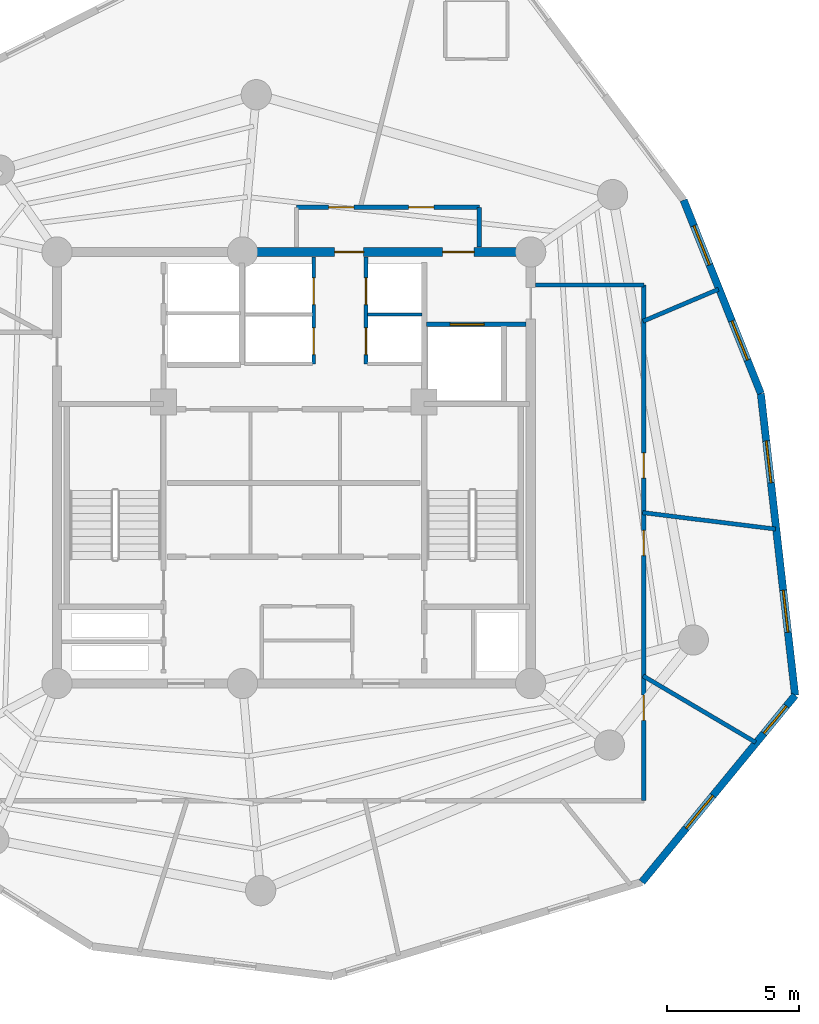
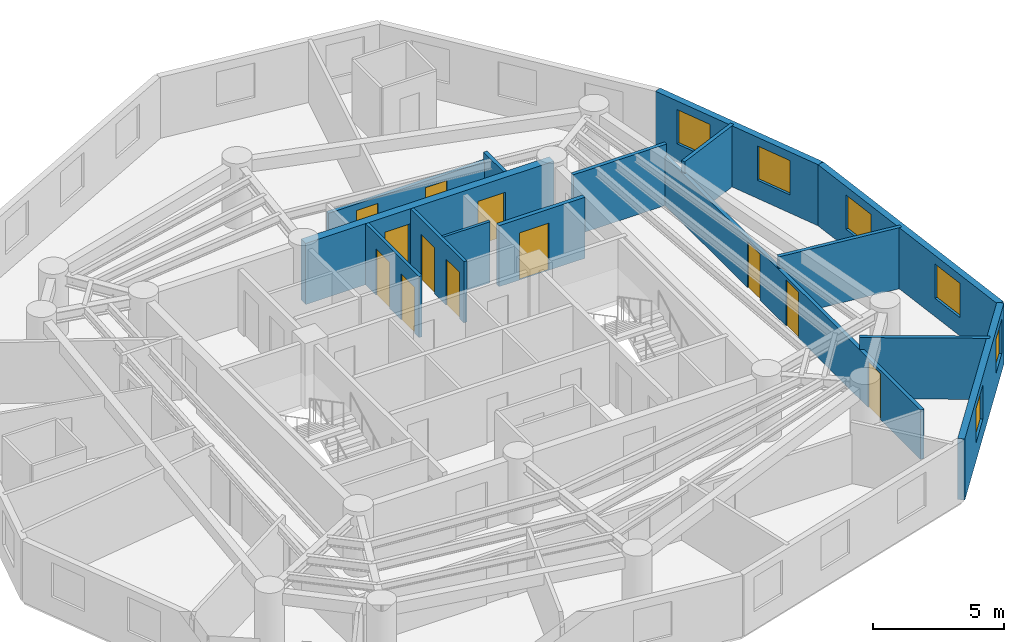
# One storey, part 5 of 7: 15 walls, 12 doors, 6 windows, 18 openings.
"""IFC4 building model written with IfcOpenShell, lengths in metres."""

from ifc_helpers import new_model, si_unit, direction, frame, frame_2d, origin, origin_with_axes, place, context, subcontext, project, spatial, rectangle, extrude, source, transform, mapped, material, layer, layer_set, type_object, element, fill, save


model = new_model("IFC4")

# Units and contexts
model_context = context("Model", 3, precision=1e-05, world=origin(), true_north=direction((0.0, 1.0)))
body_context = subcontext(model_context, "Body", "Model", "MODEL_VIEW")
ifc_project = project(units=[si_unit("LENGTHUNIT", "METRE"), si_unit("AREAUNIT", "SQUARE_METRE"), si_unit("VOLUMEUNIT", "CUBIC_METRE"), si_unit("PLANEANGLEUNIT", "RADIAN"), si_unit("MASSUNIT", "GRAM", prefix="KILO")], contexts=[model_context])

# Site, building, storey
site_placement = place(None, origin())
site = spatial("IfcSite", under=ifc_project, at=site_placement, CompositionType="ELEMENT")
building_placement = place(site_placement, origin())
building = spatial("IfcBuilding", under=site, at=building_placement, Name="Karkom Vertical University and Central Library", CompositionType="ELEMENT")
storey_placement = place(building_placement, frame((0.0, 0.0, 241.300048828125)))
storey = spatial("IfcBuildingStorey", under=building, at=storey_placement, Name="L71", CompositionType="ELEMENT", Elevation=241.300048828125)

# Wall, openings, windows
ifc_material_1 = material(Name="Brick-faced precast concrete C45/55", Category="masonry")
ifc_layer_1 = layer(ifc_material_1, 0.280029296875)
ifc_layer_set_1 = layer_set([ifc_layer_1], Name="Brick-faced precast concrete C45/55")
wall_type_1 = type_object("IfcWallType", Name="ENV-WL-BRK-280", PredefinedType="SOLIDWALL", material=ifc_layer_set_1)
wall_1_placement = place(storey_placement, frame((41.727294921875, 10.755615234375, 0.0), z_axis=(0.0, 0.0, 1.0), x_axis=(0.634374079075, 0.773026214173, 0.0)))
wall_1 = element("IfcWall", 1, at=wall_1_placement, inside=storey, type_object=wall_type_1, Name="Level 71 Brick-Faced Precast Facade Wall 05", PredefinedType="SOLIDWALL", context=body_context, shape_type="SweptSolid", body=[
    extrude(rectangle(XDim=9.17919921875, YDim=0.280029296875, at=frame_2d((4.589599609375, 0.0))), origin(), (0.0, 0.0, 1.0), 2.849853515625),
])
opening_1_placement = place(wall_1_placement, frame((2.65087890625, 0.0, 0.85009765625)))
opening_1 = element("IfcOpeningElement", 2, at=opening_1_placement, cuts=wall_1, Name="Opening WN-10", PredefinedType="OPENING", context=body_context, shape_type="SweptSolid", body=[
    extrude(rectangle(XDim=1.60009765625, YDim=1.60009765625, at=frame_2d((0.800048828125, 0.800048828125))), frame((0.0, 0.14990234375, 0.0), z_axis=(0.0, -1.0, 0.0), x_axis=(1.0, 0.0, 0.0)), (0.0, 0.0, 1.0), 0.300048828125),
])
opening_2_placement = place(wall_1_placement, frame((7.305419921875, 0.0, 0.85009765625)))
opening_2 = element("IfcOpeningElement", 3, at=opening_2_placement, cuts=wall_1, Name="Opening WN-11", PredefinedType="OPENING", context=body_context, shape_type="SweptSolid", body=[
    extrude(rectangle(XDim=1.35009765625, YDim=1.60009765625, at=frame_2d((0.675048828125, 0.800048828125))), frame((0.0, 0.14990234375, 0.0), z_axis=(0.0, -1.0, 0.0), x_axis=(1.0, 0.0, 0.0)), (0.0, 0.0, 1.0), 0.300048828125),
])
ifc_material_2 = material(Name="Aluminium thermal-break frame with solar-control IGU", Category="aluminium")
window_type_1 = type_object("IfcWindowType", Name="ENV-WIN-WN-10", PartitioningType="SINGLE_PANEL", PredefinedType="WINDOW", material=ifc_material_2)
shared_shape_1 = source(origin_with_axes(), body_context, "Body", "SweptSolid", [
    extrude(rectangle(XDim=1.60009765625, YDim=1.60009765625, at=frame_2d((0.800048828125, 0.800048828125))), frame((0.0, 0.030029296875, 0.0), z_axis=(0.0, -1.0, 0.0), x_axis=(1.0, 0.0, 0.0)), (0.0, 0.0, 1.0), 0.06005859375),
])
window_1_placement = place(opening_1_placement, origin())
window_1 = element("IfcWindow", 4, at=window_1_placement, inside=storey, type_object=window_type_1, Name="Level 71 Punched Window 5.1", OverallHeight=1.60009765625, OverallWidth=1.60009765625, PartitioningType="SINGLE_PANEL", PredefinedType="WINDOW", context=body_context, shape_type="MappedRepresentation", body=[
    mapped(shared_shape_1, transform((0.0, 0.0, 0.0), scale=1.0)),
])
fill(opening_1, window_1)
window_type_2 = type_object("IfcWindowType", Name="ENV-WIN-WN-11", PartitioningType="SINGLE_PANEL", PredefinedType="WINDOW", material=ifc_material_2)
shared_shape_2 = source(origin_with_axes(), body_context, "Body", "SweptSolid", [
    extrude(rectangle(XDim=1.35009765625, YDim=1.60009765625, at=frame_2d((0.675048828125, 0.800048828125))), frame((0.0, 0.030029296875, 0.0), z_axis=(0.0, -1.0, 0.0), x_axis=(1.0, 0.0, 0.0)), (0.0, 0.0, 1.0), 0.06005859375),
])
window_2_placement = place(opening_2_placement, origin())
window_2 = element("IfcWindow", 5, at=window_2_placement, inside=storey, type_object=window_type_2, Name="Level 71 Punched Window 5.2", OverallHeight=1.60009765625, OverallWidth=1.35009765625, PartitioningType="SINGLE_PANEL", PredefinedType="WINDOW", context=body_context, shape_type="MappedRepresentation", body=[
    mapped(shared_shape_2, transform((0.0, 0.0, 0.0), scale=1.0)),
])
fill(opening_2, window_2)

wall_2_placement = place(storey_placement, frame((47.55029296875, 17.851318359375, 0.0), z_axis=(0.0, 0.0, 1.0), x_axis=(-0.112909688044, 0.99360525479, 0.0)))
wall_2 = element("IfcWall", 6, at=wall_2_placement, inside=storey, type_object=wall_type_1, Name="Level 71 Brick-Faced Precast Facade Wall 06", PredefinedType="SOLIDWALL", context=body_context, shape_type="SweptSolid", body=[
    extrude(rectangle(XDim=11.54638671875, YDim=0.280029296875, at=frame_2d((5.773193359375, 0.0))), origin(), (0.0, 0.0, 1.0), 2.849853515625),
])
opening_3_placement = place(wall_2_placement, frame((2.41552734375, 0.0, 0.85009765625)))
opening_3 = element("IfcOpeningElement", 7, at=opening_3_placement, cuts=wall_2, Name="Opening WN-10", PredefinedType="OPENING", context=body_context, shape_type="SweptSolid", body=[
    extrude(rectangle(XDim=1.60009765625, YDim=1.60009765625, at=frame_2d((0.800048828125, 0.800048828125))), frame((0.0, 0.14990234375, 0.0), z_axis=(0.0, -1.0, 0.0), x_axis=(1.0, 0.0, 0.0)), (0.0, 0.0, 1.0), 0.300048828125),
])
opening_4_placement = place(wall_2_placement, frame((8.12890625, 0.0, 0.85009765625)))
opening_4 = element("IfcOpeningElement", 8, at=opening_4_placement, cuts=wall_2, Name="Opening WN-10", PredefinedType="OPENING", context=body_context, shape_type="SweptSolid", body=[
    extrude(rectangle(XDim=1.60009765625, YDim=1.60009765625, at=frame_2d((0.800048828125, 0.800048828125))), frame((0.0, 0.14990234375, 0.0), z_axis=(0.0, -1.0, 0.0), x_axis=(1.0, 0.0, 0.0)), (0.0, 0.0, 1.0), 0.300048828125),
])
window_3_placement = place(opening_3_placement, origin())
window_3 = element("IfcWindow", 9, at=window_3_placement, inside=storey, type_object=window_type_1, Name="Level 71 Punched Window 6.1", OverallHeight=1.60009765625, OverallWidth=1.60009765625, PartitioningType="SINGLE_PANEL", PredefinedType="WINDOW", context=body_context, shape_type="MappedRepresentation", body=[
    mapped(shared_shape_1, transform((0.0, 0.0, 0.0), scale=1.0)),
])
fill(opening_3, window_3)
window_4_placement = place(opening_4_placement, origin())
window_4 = element("IfcWindow", 10, at=window_4_placement, inside=storey, type_object=window_type_1, Name="Level 71 Punched Window 6.2", OverallHeight=1.60009765625, OverallWidth=1.60009765625, PartitioningType="SINGLE_PANEL", PredefinedType="WINDOW", context=body_context, shape_type="MappedRepresentation", body=[
    mapped(shared_shape_1, transform((0.0, 0.0, 0.0), scale=1.0)),
])
fill(opening_4, window_4)

wall_3_placement = place(storey_placement, frame((46.24658203125, 29.323974609375, 0.0), z_axis=(0.0, 0.0, 1.0), x_axis=(-0.370714974238, 0.928746686603, 0.0)))
wall_3 = element("IfcWall", 11, at=wall_3_placement, inside=storey, type_object=wall_type_1, Name="Level 71 Brick-Faced Precast Facade Wall 07", PredefinedType="SOLIDWALL", context=body_context, shape_type="SweptSolid", body=[
    extrude(rectangle(XDim=7.91259765625, YDim=0.280029296875, at=frame_2d((3.956298828125, 0.0))), origin(), (0.0, 0.0, 1.0), 2.849853515625),
])
opening_5_placement = place(wall_3_placement, frame((1.3671875, 0.0, 0.85009765625)))
opening_5 = element("IfcOpeningElement", 12, at=opening_5_placement, cuts=wall_3, Name="Opening WN-10", PredefinedType="OPENING", context=body_context, shape_type="SweptSolid", body=[
    extrude(rectangle(XDim=1.60009765625, YDim=1.60009765625, at=frame_2d((0.800048828125, 0.800048828125))), frame((0.0, 0.14990234375, 0.0), z_axis=(0.0, -1.0, 0.0), x_axis=(1.0, 0.0, 0.0)), (0.0, 0.0, 1.0), 0.300048828125),
])
opening_6_placement = place(wall_3_placement, frame((5.263671875, 0.0, 0.85009765625)))
opening_6 = element("IfcOpeningElement", 13, at=opening_6_placement, cuts=wall_3, Name="Opening WN-10", PredefinedType="OPENING", context=body_context, shape_type="SweptSolid", body=[
    extrude(rectangle(XDim=1.60009765625, YDim=1.60009765625, at=frame_2d((0.800048828125, 0.800048828125))), frame((0.0, 0.14990234375, 0.0), z_axis=(0.0, -1.0, 0.0), x_axis=(1.0, 0.0, 0.0)), (0.0, 0.0, 1.0), 0.300048828125),
])
window_5_placement = place(opening_5_placement, origin())
window_5 = element("IfcWindow", 14, at=window_5_placement, inside=storey, type_object=window_type_1, Name="Level 71 Punched Window 7.1", OverallHeight=1.60009765625, OverallWidth=1.60009765625, PartitioningType="SINGLE_PANEL", PredefinedType="WINDOW", context=body_context, shape_type="MappedRepresentation", body=[
    mapped(shared_shape_1, transform((0.0, 0.0, 0.0), scale=1.0)),
])
fill(opening_5, window_5)
window_6_placement = place(opening_6_placement, origin())
window_6 = element("IfcWindow", 15, at=window_6_placement, inside=storey, type_object=window_type_1, Name="Level 71 Punched Window 7.2", OverallHeight=1.60009765625, OverallWidth=1.60009765625, PartitioningType="SINGLE_PANEL", PredefinedType="WINDOW", context=body_context, shape_type="MappedRepresentation", body=[
    mapped(shared_shape_1, transform((0.0, 0.0, 0.0), scale=1.0)),
])
fill(opening_6, window_6)

# Wall, openings, doors
ifc_material_3 = material(Name="Insulated metal-stud drywall 160mm", Category="gypsum")
ifc_layer_2 = layer(ifc_material_3, 0.159912109375)
ifc_layer_set_2 = layer_set([ifc_layer_2], Name="Insulated metal-stud drywall 160mm")
wall_type_2 = type_object("IfcWallType", Name="INT-WL-COR-160", PredefinedType="PARTITIONING", material=ifc_layer_set_2)
wall_4_placement = place(storey_placement, frame((41.800048828125, 33.449951171875, 0.0), z_axis=(0.0, 0.0, 1.0), x_axis=(0.0, -1.0, 0.0)))
wall_4 = element("IfcWall", 16, at=wall_4_placement, inside=storey, type_object=wall_type_2, Name="Level 71 Interior Partition Wall L71-CORW-CW-005", PredefinedType="PARTITIONING", context=body_context, shape_type="SweptSolid", body=[
    extrude(rectangle(XDim=19.599853515625, YDim=0.159912109375, at=frame_2d((9.7998046875, 0.0))), origin(), (0.0, 0.0, 1.0), 2.300048828125),
])
opening_7_placement = place(wall_4_placement, frame((15.5859375, 0.0, 0.0)))
opening_7 = element("IfcOpeningElement", 17, at=opening_7_placement, cuts=wall_4, Name="Opening FD-RM2", PredefinedType="OPENING", context=body_context, shape_type="SweptSolid", body=[
    extrude(rectangle(XDim=0.9599609375, YDim=2.14990234375, at=frame_2d((0.47998046875, 1.074951171875))), frame((0.0, 0.08984375, 0.0), z_axis=(0.0, -1.0, 0.0), x_axis=(1.0, 0.0, 0.0)), (0.0, 0.0, 1.0), 0.179931640625),
])
opening_8_placement = place(wall_4_placement, frame((9.324951171875, 0.0, 0.0)))
opening_8 = element("IfcOpeningElement", 18, at=opening_8_placement, cuts=wall_4, Name="Opening FD-RM2", PredefinedType="OPENING", context=body_context, shape_type="SweptSolid", body=[
    extrude(rectangle(XDim=0.9599609375, YDim=2.14990234375, at=frame_2d((0.47998046875, 1.074951171875))), frame((0.0, 0.08984375, 0.0), z_axis=(0.0, -1.0, 0.0), x_axis=(1.0, 0.0, 0.0)), (0.0, 0.0, 1.0), 0.179931640625),
])
opening_9_placement = place(wall_4_placement, frame((6.385009765625, 0.0, 0.0)))
opening_9 = element("IfcOpeningElement", 19, at=opening_9_placement, cuts=wall_4, Name="Opening FD-RM2", PredefinedType="OPENING", context=body_context, shape_type="SweptSolid", body=[
    extrude(rectangle(XDim=0.9599609375, YDim=2.14990234375, at=frame_2d((0.47998046875, 1.074951171875))), frame((0.0, 0.08984375, 0.0), z_axis=(0.0, -1.0, 0.0), x_axis=(1.0, 0.0, 0.0)), (0.0, 0.0, 1.0), 0.179931640625),
])
ifc_material_4 = material(Name="Fire-rated oak veneer door", Category="wood")
door_type_1 = type_object("IfcDoorType", Name="INT-DR-FRM2", OperationType="NOTDEFINED", PredefinedType="DOOR", material=ifc_material_4)
shared_shape_3 = source(origin_with_axes(), body_context, "Body", "SweptSolid", [
    extrude(rectangle(XDim=0.9599609375, YDim=2.14990234375, at=frame_2d((0.47998046875, 1.074951171875))), frame((0.0, 0.02490234375, 0.0), z_axis=(0.0, -1.0, 0.0), x_axis=(1.0, 0.0, 0.0)), (0.0, 0.0, 1.0), 0.050048828125),
])
door_1_placement = place(opening_7_placement, origin())
door_1 = element("IfcDoor", 20, at=door_1_placement, inside=storey, type_object=door_type_1, Name="Level 71 Room Entry Door 306", OperationType="SINGLE_SWING_RIGHT", OverallHeight=2.14990234375, OverallWidth=0.9599609375, PredefinedType="DOOR", context=body_context, shape_type="MappedRepresentation", body=[
    mapped(shared_shape_3, transform((0.0, 0.0, 0.0), scale=1.0)),
])
fill(opening_7, door_1)
door_2_placement = place(opening_8_placement, origin())
door_2 = element("IfcDoor", 21, at=door_2_placement, inside=storey, type_object=door_type_1, Name="Level 71 Room Entry Door 307", OperationType="SINGLE_SWING_LEFT", OverallHeight=2.14990234375, OverallWidth=0.9599609375, PredefinedType="DOOR", context=body_context, shape_type="MappedRepresentation", body=[
    mapped(shared_shape_3, transform((0.0, 0.0, 0.0), scale=1.0)),
])
fill(opening_8, door_2)
door_3_placement = place(opening_9_placement, origin())
door_3 = element("IfcDoor", 22, at=door_3_placement, inside=storey, type_object=door_type_1, Name="Level 71 Room Entry Door 308", OperationType="SINGLE_SWING_RIGHT", OverallHeight=2.14990234375, OverallWidth=0.9599609375, PredefinedType="DOOR", context=body_context, shape_type="MappedRepresentation", body=[
    mapped(shared_shape_3, transform((0.0, 0.0, 0.0), scale=1.0)),
])
fill(opening_9, door_3)

wall_5_placement = place(storey_placement, frame((28.60009765625, 36.39990234375, 0.0), z_axis=(0.0, 0.0, 1.0), x_axis=(1.0, 0.0, 0.0)))
wall_5 = element("IfcWall", 23, at=wall_5_placement, inside=storey, type_object=wall_type_2, Name="Level 71 Interior Partition Wall L71-CORW-CW-007", PredefinedType="PARTITIONING", context=body_context, shape_type="SweptSolid", body=[
    extrude(rectangle(XDim=6.949951171875, YDim=0.159912109375, at=frame_2d((3.47509765625, 0.0))), origin(), (0.0, 0.0, 1.0), 2.449951171875),
])
opening_10_placement = place(wall_5_placement, frame((4.26513671875, 0.0, 0.0)))
opening_10 = element("IfcOpeningElement", 24, at=opening_10_placement, cuts=wall_5, Name="Opening FD-RM2", PredefinedType="OPENING", context=body_context, shape_type="SweptSolid", body=[
    extrude(rectangle(XDim=0.9599609375, YDim=2.14990234375, at=frame_2d((0.47998046875, 1.074951171875))), frame((0.0, 0.08984375, 0.0), z_axis=(0.0, -1.0, 0.0), x_axis=(1.0, 0.0, 0.0)), (0.0, 0.0, 1.0), 0.179931640625),
])
opening_11_placement = place(wall_5_placement, frame((1.222412109375, 0.0, 0.0)))
opening_11 = element("IfcOpeningElement", 25, at=opening_11_placement, cuts=wall_5, Name="Opening FD-RM2", PredefinedType="OPENING", context=body_context, shape_type="SweptSolid", body=[
    extrude(rectangle(XDim=0.9599609375, YDim=2.14990234375, at=frame_2d((0.47998046875, 1.074951171875))), frame((0.0, 0.08984375, 0.0), z_axis=(0.0, -1.0, 0.0), x_axis=(1.0, 0.0, 0.0)), (0.0, 0.0, 1.0), 0.179931640625),
])
door_4_placement = place(opening_10_placement, origin())
door_4 = element("IfcDoor", 26, at=door_4_placement, inside=storey, type_object=door_type_1, Name="Level 71 Room Entry Door 418", OperationType="SINGLE_SWING_RIGHT", OverallHeight=2.14990234375, OverallWidth=0.9599609375, PredefinedType="DOOR", context=body_context, shape_type="MappedRepresentation", body=[
    mapped(shared_shape_3, transform((0.0, 0.0, 0.0), scale=1.0)),
])
fill(opening_10, door_4)
door_5_placement = place(opening_11_placement, origin())
door_5 = element("IfcDoor", 27, at=door_5_placement, inside=storey, type_object=door_type_1, Name="Level 71 Room Entry Door 310", OperationType="SINGLE_SWING_LEFT", OverallHeight=2.14990234375, OverallWidth=0.9599609375, PredefinedType="DOOR", context=body_context, shape_type="MappedRepresentation", body=[
    mapped(shared_shape_3, transform((0.0, 0.0, 0.0), scale=1.0)),
])
fill(opening_11, door_5)

# Walls
wall_6_placement = place(storey_placement, frame((41.75537109375, 24.79638671875, 0.0), z_axis=(0.0, 0.0, 1.0), x_axis=(0.992405043613, -0.123013126992, 0.0)))
element("IfcWall", 28, at=wall_6_placement, inside=storey, type_object=wall_type_2, Name="Level 71 Interior Partition Wall L71-PW-011", PredefinedType="PARTITIONING", context=body_context, shape_type="SweptSolid", body=[
    extrude(rectangle(XDim=5.088623046875, YDim=0.159912109375, at=frame_2d((2.54443359375, 0.0))), origin(), (0.0, 0.0, 1.0), 2.849853515625),
])
wall_7_placement = place(storey_placement, frame((41.774169921875, 18.590576171875, 0.0), z_axis=(0.0, 0.0, 1.0), x_axis=(0.861033173035, -0.508548793071, 0.0)))
element("IfcWall", 29, at=wall_7_placement, inside=storey, type_object=wall_type_2, Name="Level 71 Interior Partition Wall L71-PW-010", PredefinedType="PARTITIONING", context=body_context, shape_type="SweptSolid", body=[
    extrude(rectangle(XDim=4.966796875, YDim=0.159912109375, at=frame_2d((2.4833984375, 0.0))), origin(), (0.0, 0.0, 1.0), 2.849853515625),
])
wall_8_placement = place(storey_placement, frame((37.681884765625, 33.449951171875, 0.0), z_axis=(0.0, 0.0, 1.0), x_axis=(1.0, 0.0, 0.0)))
element("IfcWall", 30, at=wall_8_placement, inside=storey, type_object=wall_type_2, Name="Level 71 Interior Partition Wall L71-CORW-CW-004", PredefinedType="PARTITIONING", context=body_context, shape_type="SweptSolid", body=[
    extrude(rectangle(XDim=4.1181640625, YDim=0.159912109375, at=frame_2d((2.05908203125, 0.0))), origin(), (0.0, 0.0, 1.0), 2.849853515625),
])
wall_9_placement = place(storey_placement, frame((41.7724609375, 32.068603515625, 0.0), z_axis=(0.0, 0.0, 1.0), x_axis=(0.920502311411, 0.39073711711, 0.0)))
element("IfcWall", 31, at=wall_9_placement, inside=storey, type_object=wall_type_2, Name="Level 71 Interior Partition Wall L71-PW-012", PredefinedType="PARTITIONING", context=body_context, shape_type="SweptSolid", body=[
    extrude(rectangle(XDim=3.113525390625, YDim=0.159912109375, at=frame_2d((1.556640625, 0.0))), origin(), (0.0, 0.0, 1.0), 2.849853515625),
])
wall_10_placement = place(storey_placement, frame((35.550048828125, 36.39990234375, 0.0), z_axis=(0.0, 0.0, 1.0), x_axis=(0.0, -1.0, 0.0)))
element("IfcWall", 32, at=wall_10_placement, inside=storey, type_object=wall_type_2, Name="Level 71 Interior Partition Wall L71-CORW-CW-008", PredefinedType="PARTITIONING", context=body_context, shape_type="SweptSolid", body=[
    extrude(rectangle(XDim=1.517822265625, YDim=0.159912109375, at=frame_2d((0.7587890625, 0.0))), origin(), (0.0, 0.0, 1.0), 2.849853515625),
])
ifc_material_5 = material(Name="Moisture-resistant drywall 120mm", Category="gypsum")
ifc_layer_3 = layer(ifc_material_5, 0.1201171875)
ifc_layer_set_3 = layer_set([ifc_layer_3], Name="Moisture-resistant drywall 120mm")
wall_type_3 = type_object("IfcWallType", Name="INT-WL-INT-120H", PredefinedType="PARTITIONING", material=ifc_layer_set_3)
wall_11_placement = place(storey_placement, frame((31.300048828125, 32.320068359375, 0.0), z_axis=(0.0, 0.0, 1.0), x_axis=(1.0, 0.0, 0.0)))
element("IfcWall", 33, at=wall_11_placement, inside=storey, type_object=wall_type_3, Name="Level 71 Interior Partition Wall L71-CW-PH-ME", PredefinedType="PARTITIONING", context=body_context, shape_type="SweptSolid", body=[
    extrude(rectangle(XDim=2.074951171875, YDim=0.1201171875, at=frame_2d((1.03759765625, 0.0))), origin(), (0.0, 0.0, 1.0), 2.849853515625),
])

# Wall, openings, doors
ifc_material_6 = material(Name="Metal-stud gypsum partition 140mm", Category="gypsum")
ifc_layer_4 = layer(ifc_material_6, 0.139892578125)
ifc_layer_set_4 = layer_set([ifc_layer_4], Name="Metal-stud gypsum partition 140mm")
wall_type_4 = type_object("IfcWallType", Name="INT-WL-SUB-140H", PredefinedType="PARTITIONING", material=ifc_layer_set_4)
wall_12_placement = place(storey_placement, frame((29.260009765625, 30.449951171875, 0.0), z_axis=(0.0, 0.0, 1.0), x_axis=(0.0, 1.0, 0.0)))
wall_12 = element("IfcWall", 34, at=wall_12_placement, inside=storey, type_object=wall_type_4, Name="Level 71 Interior Partition Wall L71-CW-PH-W", PredefinedType="PARTITIONING", context=body_context, shape_type="SweptSolid", body=[
    extrude(rectangle(XDim=4.068115234375, YDim=0.139892578125, at=frame_2d((2.0341796875, 0.0))), origin(), (0.0, 0.0, 1.0), 2.849853515625),
])
opening_12_placement = place(wall_12_placement, frame((0.35009765625, 0.0, 0.0)))
opening_12 = element("IfcOpeningElement", 35, at=opening_12_placement, cuts=wall_12, Name="Opening LD-PH", PredefinedType="OPENING", context=body_context, shape_type="SweptSolid", body=[
    extrude(rectangle(XDim=1.02001953125, YDim=2.14990234375, at=frame_2d((0.510009765625, 1.074951171875))), frame((0.0, 0.080078125, 0.0), z_axis=(0.0, -1.0, 0.0), x_axis=(1.0, 0.0, 0.0)), (0.0, 0.0, 1.0), 0.159912109375),
])
opening_13_placement = place(wall_12_placement, frame((2.25, 0.0, 0.0)))
opening_13 = element("IfcOpeningElement", 36, at=opening_13_placement, cuts=wall_12, Name="Opening LD-PH", PredefinedType="OPENING", context=body_context, shape_type="SweptSolid", body=[
    extrude(rectangle(XDim=1.02001953125, YDim=2.14990234375, at=frame_2d((0.510009765625, 1.074951171875))), frame((0.0, 0.080078125, 0.0), z_axis=(0.0, -1.0, 0.0), x_axis=(1.0, 0.0, 0.0)), (0.0, 0.0, 1.0), 0.159912109375),
])
ifc_material_7 = material(Name="Brushed stainless-steel landing door", Category="steel")
door_type_2 = type_object("IfcDoorType", Name="INT-DR-LD-PH", OperationType="SLIDING_TO_LEFT", PredefinedType="DOOR", material=ifc_material_7)
shared_shape_4 = source(origin_with_axes(), body_context, "Body", "SweptSolid", [
    extrude(rectangle(XDim=1.02001953125, YDim=2.14990234375, at=frame_2d((0.510009765625, 1.074951171875))), frame((0.0, 0.02490234375, 0.0), z_axis=(0.0, -1.0, 0.0), x_axis=(1.0, 0.0, 0.0)), (0.0, 0.0, 1.0), 0.050048828125),
])
door_6_placement = place(opening_12_placement, origin())
door_6 = element("IfcDoor", 37, at=door_6_placement, inside=storey, type_object=door_type_2, Name="Level 71 Lift PH-1 Landing Door", OperationType="SLIDING_TO_LEFT", OverallHeight=2.14990234375, OverallWidth=1.02001953125, PredefinedType="DOOR", context=body_context, shape_type="MappedRepresentation", body=[
    mapped(shared_shape_4, transform((0.0, 0.0, 0.0), scale=1.0)),
])
fill(opening_12, door_6)
door_7_placement = place(opening_13_placement, origin())
door_7 = element("IfcDoor", 38, at=door_7_placement, inside=storey, type_object=door_type_2, Name="Level 71 Lift PH-2 Landing Door", OperationType="SLIDING_TO_LEFT", OverallHeight=2.14990234375, OverallWidth=1.02001953125, PredefinedType="DOOR", context=body_context, shape_type="MappedRepresentation", body=[
    mapped(shared_shape_4, transform((0.0, 0.0, 0.0), scale=1.0)),
])
fill(opening_13, door_7)

wall_13_placement = place(storey_placement, frame((31.239990234375, 30.449951171875, 0.0), z_axis=(0.0, 0.0, 1.0), x_axis=(0.0, 1.0, 0.0)))
wall_13 = element("IfcWall", 39, at=wall_13_placement, inside=storey, type_object=wall_type_4, Name="Level 71 Interior Partition Wall L71-CW-PH-E", PredefinedType="PARTITIONING", context=body_context, shape_type="SweptSolid", body=[
    extrude(rectangle(XDim=4.068115234375, YDim=0.139892578125, at=frame_2d((2.0341796875, 0.0))), origin(), (0.0, 0.0, 1.0), 2.849853515625),
])
opening_14_placement = place(wall_13_placement, frame((0.35009765625, 0.0, 0.0)))
opening_14 = element("IfcOpeningElement", 40, at=opening_14_placement, cuts=wall_13, Name="Opening LD-PH", PredefinedType="OPENING", context=body_context, shape_type="SweptSolid", body=[
    extrude(rectangle(XDim=1.02001953125, YDim=2.14990234375, at=frame_2d((0.510009765625, 1.074951171875))), frame((0.0, 0.080078125, 0.0), z_axis=(0.0, -1.0, 0.0), x_axis=(1.0, 0.0, 0.0)), (0.0, 0.0, 1.0), 0.159912109375),
])
opening_15_placement = place(wall_13_placement, frame((2.25, 0.0, 0.0)))
opening_15 = element("IfcOpeningElement", 41, at=opening_15_placement, cuts=wall_13, Name="Opening LD-PH", PredefinedType="OPENING", context=body_context, shape_type="SweptSolid", body=[
    extrude(rectangle(XDim=1.02001953125, YDim=2.14990234375, at=frame_2d((0.510009765625, 1.074951171875))), frame((0.0, 0.080078125, 0.0), z_axis=(0.0, -1.0, 0.0), x_axis=(1.0, 0.0, 0.0)), (0.0, 0.0, 1.0), 0.159912109375),
])
door_8_placement = place(opening_14_placement, origin())
door_8 = element("IfcDoor", 42, at=door_8_placement, inside=storey, type_object=door_type_2, Name="Level 71 Lift PH-3 Landing Door", OperationType="SLIDING_TO_LEFT", OverallHeight=2.14990234375, OverallWidth=1.02001953125, PredefinedType="DOOR", context=body_context, shape_type="MappedRepresentation", body=[
    mapped(shared_shape_4, transform((0.0, 0.0, 0.0), scale=1.0)),
])
fill(opening_14, door_8)
door_9_placement = place(opening_15_placement, origin())
door_9 = element("IfcDoor", 43, at=door_9_placement, inside=storey, type_object=door_type_2, Name="Level 71 Lift PH-4 Landing Door", OperationType="SLIDING_TO_LEFT", OverallHeight=2.14990234375, OverallWidth=1.02001953125, PredefinedType="DOOR", context=body_context, shape_type="MappedRepresentation", body=[
    mapped(shared_shape_4, transform((0.0, 0.0, 0.0), scale=1.0)),
])
fill(opening_15, door_9)

# Wall, opening, door
ifc_material_8 = material(Name="Twin-stud acoustic drywall 180mm", Category="gypsum")
ifc_layer_5 = layer(ifc_material_8, 0.179931640625)
ifc_layer_set_5 = layer_set([ifc_layer_5], Name="Twin-stud acoustic drywall 180mm")
wall_type_5 = type_object("IfcWallType", Name="INT-WL-TEN-180F", PredefinedType="PARTITIONING", material=ifc_layer_set_5)
wall_14_placement = place(storey_placement, frame((33.534912109375, 31.949951171875, 0.0), z_axis=(0.0, 0.0, 1.0), x_axis=(1.0, 0.0, 0.0)))
wall_14 = element("IfcWall", 44, at=wall_14_placement, inside=storey, type_object=wall_type_5, Name="Level 71 Interior Partition Wall L71-CW-SVL-N", PredefinedType="PARTITIONING", context=body_context, shape_type="SweptSolid", body=[
    extrude(rectangle(XDim=3.783935546875, YDim=0.179931640625, at=frame_2d((1.89208984375, 0.0))), origin(), (0.0, 0.0, 1.0), 2.849853515625),
])
opening_16_placement = place(wall_14_placement, frame((0.89990234375, 0.0, 0.0)))
opening_16 = element("IfcOpeningElement", 45, at=opening_16_placement, cuts=wall_14, Name="Opening LD-SV1", PredefinedType="OPENING", context=body_context, shape_type="SweptSolid", body=[
    extrude(rectangle(XDim=1.300048828125, YDim=2.199951171875, at=frame_2d((0.64990234375, 1.10009765625))), frame((0.0, 0.10009765625, 0.0), z_axis=(0.0, -1.0, 0.0), x_axis=(1.0, 0.0, 0.0)), (0.0, 0.0, 1.0), 0.199951171875),
])
door_type_3 = type_object("IfcDoorType", Name="INT-DR-LD-SV1", OperationType="SLIDING_TO_LEFT", PredefinedType="DOOR", material=ifc_material_7)
shared_shape_5 = source(origin_with_axes(), body_context, "Body", "SweptSolid", [
    extrude(rectangle(XDim=1.300048828125, YDim=2.199951171875, at=frame_2d((0.64990234375, 1.10009765625))), frame((0.0, 0.02490234375, 0.0), z_axis=(0.0, -1.0, 0.0), x_axis=(1.0, 0.0, 0.0)), (0.0, 0.0, 1.0), 0.050048828125),
])
door_10_placement = place(opening_16_placement, origin())
door_10 = element("IfcDoor", 46, at=door_10_placement, inside=storey, type_object=door_type_3, Name="Level 71 Service Lift Landing Door LD-SV1", OperationType="SLIDING_TO_LEFT", OverallHeight=2.199951171875, OverallWidth=1.300048828125, PredefinedType="DOOR", context=body_context, shape_type="MappedRepresentation", body=[
    mapped(shared_shape_5, transform((0.0, 0.0, 0.0), scale=1.0)),
])
fill(opening_16, door_10)

# Wall, openings, doors
ifc_material_9 = material(Name="Concrete C45/55", Category="concrete")
ifc_layer_6 = layer(ifc_material_9, 0.35009765625)
ifc_layer_set_6 = layer_set([ifc_layer_6], Name="Concrete C45/55")
wall_type_6 = type_object("IfcWallType", Name="STR-WL-CW-350", PredefinedType="SHEAR", material=ifc_layer_set_6)
wall_15_placement = place(storey_placement, frame((37.5, 34.699951171875, 0.0), z_axis=(0.0, 0.0, 1.0), x_axis=(-1.0, 0.0, 0.0)))
wall_15 = element("IfcWall", 47, at=wall_15_placement, inside=storey, type_object=wall_type_6, Name="Level 71 Central Core Shear Wall NW1", PredefinedType="SHEAR", context=body_context, shape_type="SweptSolid", body=[
    extrude(rectangle(XDim=10.949951171875, YDim=0.35009765625, at=frame_2d((5.47509765625, 0.0))), origin(), (0.0, 0.0, 1.0), 2.849853515625),
])
opening_17_placement = place(wall_15_placement, frame((2.14990234375, 0.0, 0.0)))
opening_17 = element("IfcOpeningElement", 48, at=opening_17_placement, cuts=wall_15, Name="Opening FD-SUB1", PredefinedType="OPENING", context=body_context, shape_type="SweptSolid", body=[
    extrude(rectangle(XDim=1.199951171875, YDim=2.14990234375, at=frame_2d((0.60009765625, 1.074951171875))), frame((0.0, 0.18505859375, 0.0), z_axis=(0.0, -1.0, 0.0), x_axis=(1.0, 0.0, 0.0)), (0.0, 0.0, 1.0), 0.3701171875),
])
opening_18_placement = place(wall_15_placement, frame((6.35009765625, 0.0, 0.0)))
opening_18 = element("IfcOpeningElement", 49, at=opening_18_placement, cuts=wall_15, Name="Opening FD-FFL", PredefinedType="OPENING", context=body_context, shape_type="SweptSolid", body=[
    extrude(rectangle(XDim=1.10009765625, YDim=2.14990234375, at=frame_2d((0.550048828125, 1.074951171875))), frame((0.0, 0.18505859375, 0.0), z_axis=(0.0, -1.0, 0.0), x_axis=(1.0, 0.0, 0.0)), (0.0, 0.0, 1.0), 0.3701171875),
])
ifc_material_10 = material(Name="Painted steel smoke-seal fire door", Category="steel")
door_type_4 = type_object("IfcDoorType", Name="INT-DR-FFL", OperationType="NOTDEFINED", PredefinedType="DOOR", material=ifc_material_10)
shared_shape_6 = source(origin_with_axes(), body_context, "Body", "SweptSolid", [
    extrude(rectangle(XDim=1.10009765625, YDim=2.14990234375, at=frame_2d((0.550048828125, 1.074951171875))), frame((0.0, 0.02490234375, 0.0), z_axis=(0.0, -1.0, 0.0), x_axis=(1.0, 0.0, 0.0)), (0.0, 0.0, 1.0), 0.050048828125),
])
door_11_placement = place(opening_18_placement, origin())
door_11 = element("IfcDoor", 50, at=door_11_placement, inside=storey, type_object=door_type_4, Name="Level 71 North Core Lobby Exit Door", OperationType="SINGLE_SWING_RIGHT", OverallHeight=2.14990234375, OverallWidth=1.10009765625, PredefinedType="DOOR", context=body_context, shape_type="MappedRepresentation", body=[
    mapped(shared_shape_6, transform((0.0, 0.0, 0.0), scale=1.0)),
])
fill(opening_18, door_11)
ifc_material_11 = material(Name="Painted steel fire door", Category="steel")
door_type_5 = type_object("IfcDoorType", Name="INT-DR-SUB1", OperationType="NOTDEFINED", PredefinedType="DOOR", material=ifc_material_11)
shared_shape_7 = source(origin_with_axes(), body_context, "Body", "SweptSolid", [
    extrude(rectangle(XDim=1.199951171875, YDim=2.14990234375, at=frame_2d((0.60009765625, 1.074951171875))), frame((0.0, 0.02490234375, 0.0), z_axis=(0.0, -1.0, 0.0), x_axis=(1.0, 0.0, 0.0)), (0.0, 0.0, 1.0), 0.050048828125),
])
door_12_placement = place(opening_17_placement, origin())
door_12 = element("IfcDoor", 51, at=door_12_placement, inside=storey, type_object=door_type_5, Name="Level 71 Service Lobby Fire Door", OperationType="SINGLE_SWING_RIGHT", OverallHeight=2.14990234375, OverallWidth=1.199951171875, PredefinedType="DOOR", context=body_context, shape_type="MappedRepresentation", body=[
    mapped(shared_shape_7, transform((0.0, 0.0, 0.0), scale=1.0)),
])
fill(opening_17, door_12)

save(model, "model.ifc")
